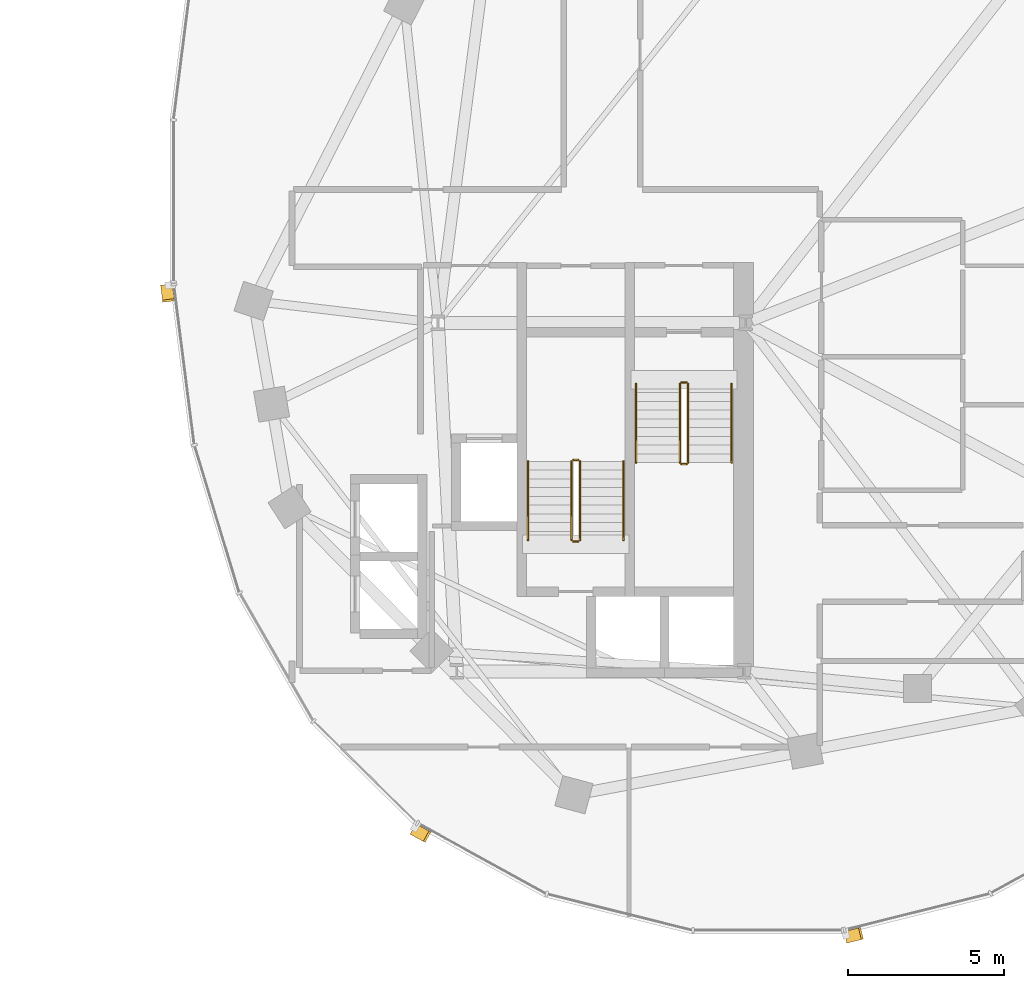
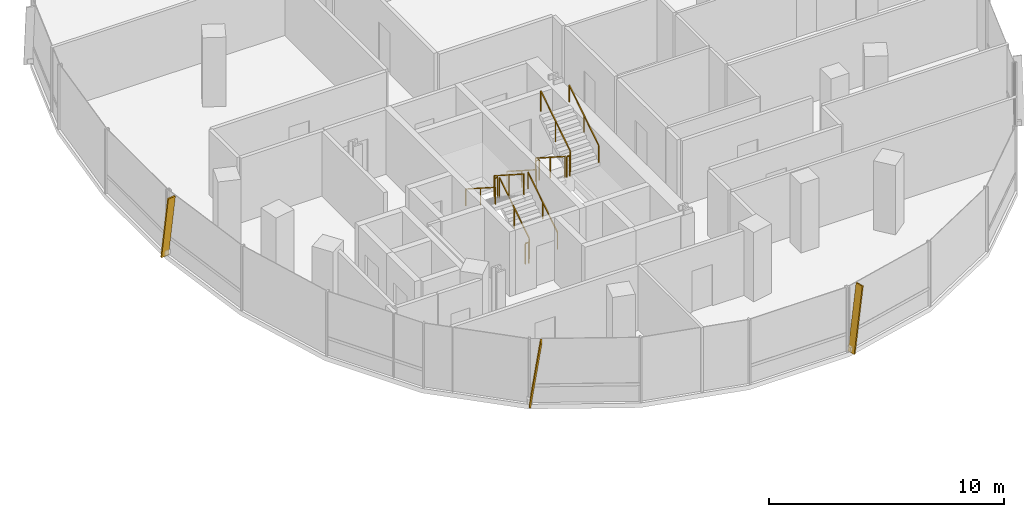
# One storey, part 21 of 22: 12 railings, 3 shading devices.
"""IFC4 building model written with IfcOpenShell, lengths in metres."""

import ifcopenshell
import ifcopenshell.guid

model = None  # the IFC model being written
_history = None  # IfcOwnerHistory: only IFC2X3 demands one
_inside = {}  # id of a spatial element -> (the spatial element, [elements in it])
_under = {}  # id of a project, library or spatial element -> (it, [spatial elements below it])
_declared = {}  # id of a project -> (the project, [libraries it declares])
_typed = {}  # id of a type object -> (the type object, [elements of that type])
_made_of = {}  # id of a material, layer set ... -> (it, [elements and type objects made of it])


def new_model(schema):
    """Start an empty IFC model of exactly this schema.

    Asked for "IFC4X3", IfcOpenShell would pick the latest addendum, in which some entities
    have other attributes; the version numbers below select the first issue.
    IFC2X3 requires an IfcOwnerHistory on every rooted entity: one is made here for all.
    """
    global model, _history
    if schema == "IFC4X3":
        model = ifcopenshell.file(schema_version=(4, 3, 0, 0))
    else:
        model = ifcopenshell.file(schema=schema)
    _inside.clear()
    _under.clear()
    _declared.clear()
    _typed.clear()
    _made_of.clear()
    _history = None
    if model.schema == "IFC2X3":
        org = make("IfcOrganization", Name="unknown")
        user = make(
            "IfcPersonAndOrganization",
            ThePerson=make("IfcPerson", FamilyName="unknown"),
            TheOrganization=org,
        )
        app = make(
            "IfcApplication",
            ApplicationDeveloper=org,
            Version="unknown",
            ApplicationFullName="unknown",
            ApplicationIdentifier="unknown",
        )
        _history = make(
            "IfcOwnerHistory",
            OwningUser=user,
            OwningApplication=app,
            ChangeAction="ADDED",
            CreationDate=0,
        )
    return model


def make(cls, **values):
    """One entity of the class cls with the attributes given. An attribute that is None is left unset."""
    return model.create_entity(
        cls, **{name: value for name, value in values.items() if value is not None}
    )


def rooted(cls, **values):
    """An entity with a GlobalId (a new one), such as an element, a storey or a relation."""
    return make(cls, GlobalId=ifcopenshell.guid.new(), OwnerHistory=_history, **values)


def si_unit(unit_type, name, prefix=None):
    """IfcSIUnit, for example si_unit("LENGTHUNIT", "METRE", prefix="MILLI")."""
    return make("IfcSIUnit", UnitType=unit_type, Prefix=prefix, Name=name)


def assignment(units):
    """IfcUnitAssignment: the units of a project."""
    return None if units is None else make("IfcUnitAssignment", Units=units)


def point(xyz):
    """IfcCartesianPoint."""
    return None if xyz is None else make("IfcCartesianPoint", Coordinates=xyz)


def direction(xyz):
    """IfcDirection."""
    return None if xyz is None else make("IfcDirection", DirectionRatios=xyz)


def frame(location, z_axis=None, x_axis=None):
    """IfcAxis2Placement3D, a coordinate frame: its origin and axes. An axis left out is left unset."""
    return make(
        "IfcAxis2Placement3D",
        Location=point(location),
        Axis=direction(z_axis),
        RefDirection=direction(x_axis),
    )


def frame_2d(location, x_axis=None):
    """IfcAxis2Placement2D, a coordinate frame in the plane: its origin and x axis."""
    return make(
        "IfcAxis2Placement2D", Location=point(location), RefDirection=direction(x_axis)
    )


def origin():
    """The frame at (0, 0, 0) with its axes left unset."""
    return frame((0.0, 0.0, 0.0))


def origin_2d():
    """The frame at (0, 0) in the plane with its x axis left unset."""
    return frame_2d((0.0, 0.0))


def place(relative_to, where):
    """IfcLocalPlacement: puts the frame where relative to a parent placement (None: the world)."""
    return make(
        "IfcLocalPlacement", PlacementRelTo=relative_to, RelativePlacement=where
    )


def context(
    kind, dimensions, precision=None, world=None, true_north=None, identifier=None
):
    """IfcGeometricRepresentationContext, for example the 3D "Model" context."""
    return make(
        "IfcGeometricRepresentationContext",
        ContextIdentifier=identifier,
        ContextType=kind,
        CoordinateSpaceDimension=dimensions,
        Precision=precision,
        WorldCoordinateSystem=world,
        TrueNorth=true_north,
    )


def subcontext(parent, identifier, kind, view, scale=None):
    """IfcGeometricRepresentationSubContext, for example "Body" below "Model"."""
    return make(
        "IfcGeometricRepresentationSubContext",
        ContextIdentifier=identifier,
        ContextType=kind,
        ParentContext=parent,
        TargetScale=scale,
        TargetView=view,
    )


def project(units=None, contexts=None):
    """IfcProject with its units and contexts."""
    return rooted(
        "IfcProject",
        Name="project",
        RepresentationContexts=contexts,
        UnitsInContext=assignment(units),
    )


def spatial(cls, under=None, at=None, **own):
    """A site, building, storey or space (cls), placed at a placement, below another one or the project."""
    s = rooted(cls, ObjectPlacement=at, **own)
    if under is not None:
        _under.setdefault(under.id(), (under, []))[1].append(s)
    return s


def profile(cls, at=None, kind="AREA", **sizes):
    """A parametric profile (cls). Its sizes go by their IFC names, for example OverallWidth=200.0."""
    return make(cls, ProfileType=kind, Position=at, **sizes)


def rectangle(**sizes):
    """IfcRectangleProfileDef."""
    return profile("IfcRectangleProfileDef", **sizes)


def extrude(swept, where, along, depth):
    """IfcExtrudedAreaSolid: the profile swept, set in the frame where, extruded along a direction by depth."""
    return make(
        "IfcExtrudedAreaSolid",
        SweptArea=swept,
        Position=where,
        ExtrudedDirection=direction(along),
        Depth=depth,
    )


def shape(context_of_items, identifier, shape_type, items):
    """IfcShapeRepresentation: the items that make up one representation, for example the "Body"."""
    return make(
        "IfcShapeRepresentation",
        ContextOfItems=context_of_items,
        RepresentationIdentifier=identifier,
        RepresentationType=shape_type,
        Items=items,
    )


def material(Name=None, Category=None):
    """IfcMaterial."""
    return make("IfcMaterial", Name=Name, Category=Category)


def material_profile(
    of_material, cross_section, Name=None, Category=None, Priority=None
):
    """IfcMaterialProfile: a cross section and its material."""
    return make(
        "IfcMaterialProfile",
        Name=Name,
        Material=of_material,
        Profile=cross_section,
        Priority=Priority,
        Category=Category,
    )


def profile_set(profiles, Name=None, composite=None):
    """IfcMaterialProfileSet."""
    return make(
        "IfcMaterialProfileSet",
        Name=Name,
        MaterialProfiles=profiles,
        CompositeProfile=composite,
    )


def made_of(thing, what):
    """Note that an element or type object is made of a material, layer set ...; save() writes the relation."""
    if what is not None:
        _made_of.setdefault(what.id(), (what, []))[1].append(thing)
    return thing


def type_object(cls, material=None, **own):
    """A type object (cls), such as IfcWallType, which elements share."""
    return made_of(rooted(cls, **own), material)


def element(
    cls,
    number,
    at=None,
    inside=None,
    cuts=None,
    type_object=None,
    material=None,
    context=None,
    identifier="Body",
    shape_type=None,
    held_by="IfcProductDefinitionShape",
    body=None,
    shapes=None,
    **own,
):
    """One element of the class cls, such as IfcWall. Its Tag is "e" and its number.

    at: its placement. inside: the storey or other place that contains it. cuts: it is an
    opening in that element (IfcRelVoidsElement). A single representation is given by context,
    identifier, shape_type and body (its items); several are given by shapes. held_by: the class
    of the entity that holds the representations. save() writes the other relations.
    """
    e = rooted(cls, Tag="e%d" % number, ObjectPlacement=at, **own)
    if body is not None:
        shapes = [shape(context, identifier, shape_type, body)]
    if shapes is not None:
        e.Representation = make(held_by, Representations=shapes)
    if inside is not None:
        _inside.setdefault(inside.id(), (inside, []))[1].append(e)
    if cuts is not None:
        rooted(
            "IfcRelVoidsElement", RelatingBuildingElement=cuts, RelatedOpeningElement=e
        )
    if type_object is not None:
        _typed.setdefault(type_object.id(), (type_object, []))[1].append(e)
    return made_of(e, material)


def aggregate(whole, parts):
    """IfcRelAggregates: a whole, such as a stair, and the parts it consists of."""
    return rooted("IfcRelAggregates", RelatingObject=whole, RelatedObjects=parts)


def save(model, path):
    """Write the relations noted so far, then the file.

    IfcRelAggregates (storeys below a building ...), IfcRelContainedInSpatialStructure (elements
    in a storey), IfcRelDefinesByType, IfcRelAssociatesMaterial and IfcRelDeclares: one each for
    every whole, place, type object, material and project.
    """
    for whole, parts in _under.values():
        aggregate(whole, parts)
    for where, things in _inside.values():
        rooted(
            "IfcRelContainedInSpatialStructure",
            RelatedElements=things,
            RelatingStructure=where,
        )
    for kind, things in _typed.values():
        rooted("IfcRelDefinesByType", RelatedObjects=things, RelatingType=kind)
    for what, things in _made_of.values():
        rooted("IfcRelAssociatesMaterial", RelatedObjects=things, RelatingMaterial=what)
    for by, libraries in _declared.values():
        rooted("IfcRelDeclares", RelatingContext=by, RelatedDefinitions=libraries)
    model.write(path)


model = new_model("IFC4")

# Units and contexts
model_context = context("Model", 3, precision=1e-05, world=origin(), true_north=direction((0.0, 1.0)))
body_context = subcontext(model_context, "Body", "Model", "MODEL_VIEW")
ifc_project = project(units=[si_unit("LENGTHUNIT", "METRE"), si_unit("AREAUNIT", "SQUARE_METRE"), si_unit("VOLUMEUNIT", "CUBIC_METRE"), si_unit("PLANEANGLEUNIT", "RADIAN"), si_unit("MASSUNIT", "GRAM", prefix="KILO"), si_unit("THERMODYNAMICTEMPERATUREUNIT", "KELVIN"), si_unit("POWERUNIT", "WATT")], contexts=[model_context])

# Site, building, storey
site_placement = place(None, origin())
site = spatial("IfcSite", under=ifc_project, at=site_placement, CompositionType="ELEMENT")
building_placement = place(site_placement, origin())
building = spatial("IfcBuilding", under=site, at=building_placement, Name="Cundina Bronze Exchange", CompositionType="ELEMENT")
storey_placement = place(building_placement, frame((0.0, 0.0, 151.199951171875)))
storey = spatial("IfcBuildingStorey", under=building, at=storey_placement, Name="L39", CompositionType="ELEMENT", Elevation=151.199951171875)

# Railings
ifc_material_1 = material(Name="Steel ASTM A36 Painted", Category="steel")
railing_type_1 = type_object("IfcRailingType", Name="RLG-HND-900", PredefinedType="HANDRAIL", material=ifc_material_1)
railing_1_placement = place(storey_placement, frame((27.7900390625, -5.85009765625, 0.179931640625)))
element("IfcRailing", 1, at=railing_1_placement, inside=storey, type_object=railing_type_1, Name="L39 ST-E1 stair handrail 1", PredefinedType="HANDRAIL", context=body_context, shape_type="SweptSolid", body=[
    extrude(rectangle(XDim=0.048095703125, YDim=0.048095703125, at=origin_2d()), frame((0.0, 0.0, 0.8759765625), z_axis=(0.0, -0.841162588446, 0.540782303519), x_axis=(1.0, 0.0, 0.0)), (0.0, 0.0, 1.0), 2.995849609375),
    extrude(rectangle(XDim=0.0419921875, YDim=0.0419921875, at=origin_2d()), origin(), (0.0, 0.0, 1.0), 0.851806640625),
    extrude(rectangle(XDim=0.0419921875, YDim=0.0419921875, at=origin_2d()), frame((0.0, -1.260009765625, 0.81005859375)), (0.0, 0.0, 1.0), 0.851806640625),
    extrude(rectangle(XDim=0.0419921875, YDim=0.0419921875, at=origin_2d()), frame((0.0, -2.52001953125, 1.6201171875)), (0.0, 0.0, 1.0), 0.851806640625),
])
for number, where, name in (
    (2, (30.85009765625, -8.3701171875, 1.97998046875), "L39 ST-E1 stair handrail 2"),
    (3, (27.389892578125, -10.85009765625, 0.179931640625), "L39 ST-E2 stair handrail 1"),
):
    element("IfcRailing", number, at=place(storey_placement, frame(where)), inside=storey, type_object=railing_type_1, Name=name, PredefinedType="HANDRAIL", context=body_context, shape_type="SweptSolid", body=[
        extrude(rectangle(XDim=0.048095703125, YDim=0.048095703125, at=origin_2d()), frame((0.0, 0.0, 0.8759765625), z_axis=(0.0, 0.841162588446, 0.540782303519), x_axis=(-1.0, 0.0, 0.0)), (0.0, 0.0, 1.0), 2.995849609375),
        extrude(rectangle(XDim=0.0419921875, YDim=0.0419921875, at=origin_2d()), origin(), (0.0, 0.0, 1.0), 0.851806640625),
        extrude(rectangle(XDim=0.0419921875, YDim=0.0419921875, at=origin_2d()), frame((0.0, 1.260009765625, 0.81005859375)), (0.0, 0.0, 1.0), 0.851806640625),
        extrude(rectangle(XDim=0.0419921875, YDim=0.0419921875, at=origin_2d()), frame((0.0, 2.52001953125, 1.6201171875)), (0.0, 0.0, 1.0), 0.851806640625),
    ])
railing_2_placement = place(storey_placement, frame((24.330078125, -8.330078125, 1.97998046875)))
element("IfcRailing", 4, at=railing_2_placement, inside=storey, type_object=railing_type_1, Name="L39 ST-E2 stair handrail 2", PredefinedType="HANDRAIL", context=body_context, shape_type="SweptSolid", body=[
    extrude(rectangle(XDim=0.048095703125, YDim=0.048095703125, at=origin_2d()), frame((0.0, 0.0, 0.8759765625), z_axis=(0.0, -0.841162588446, 0.540782303519), x_axis=(1.0, 0.0, 0.0)), (0.0, 0.0, 1.0), 2.995849609375),
    extrude(rectangle(XDim=0.0419921875, YDim=0.0419921875, at=origin_2d()), origin(), (0.0, 0.0, 1.0), 0.851806640625),
    extrude(rectangle(XDim=0.0419921875, YDim=0.0419921875, at=origin_2d()), frame((0.0, -1.260009765625, 0.81005859375)), (0.0, 0.0, 1.0), 0.851806640625),
    extrude(rectangle(XDim=0.0419921875, YDim=0.0419921875, at=origin_2d()), frame((0.0, -2.52001953125, 1.6201171875)), (0.0, 0.0, 1.0), 0.851806640625),
])
railing_type_2 = type_object("IfcRailingType", Name="RLG-STG-1100", PredefinedType="GUARDRAIL", material=ifc_material_1)
railing_3_placement = place(storey_placement, frame((29.18994140625, -5.85009765625, 0.179931640625)))
element("IfcRailing", 5, at=railing_3_placement, inside=storey, type_object=railing_type_2, Name="L39 ST-E1 stair guard 1", PredefinedType="GUARDRAIL", context=body_context, shape_type="SweptSolid", body=[
    extrude(rectangle(XDim=0.048095703125, YDim=0.048095703125, at=origin_2d()), frame((0.0, 0.0, 1.076171875), z_axis=(0.0, -0.841162588446, 0.540782303519), x_axis=(1.0, 0.0, 0.0)), (0.0, 0.0, 1.0), 2.995849609375),
    extrude(rectangle(XDim=0.0419921875, YDim=0.0419921875, at=origin_2d()), origin(), (0.0, 0.0, 1.0), 1.052001953125),
    extrude(rectangle(XDim=0.0419921875, YDim=0.0419921875, at=origin_2d()), frame((0.0, -1.260009765625, 0.81005859375)), (0.0, 0.0, 1.0), 1.052001953125),
    extrude(rectangle(XDim=0.0419921875, YDim=0.0419921875, at=origin_2d()), frame((0.0, -2.52001953125, 1.6201171875)), (0.0, 0.0, 1.0), 1.052001953125),
])
railing_4_placement = place(storey_placement, frame((29.239990234375, -8.419921875, 1.800048828125)))
element("IfcRailing", 6, at=railing_4_placement, inside=storey, type_object=railing_type_2, Name="L39 ST-E1 stair guard 2", PredefinedType="GUARDRAIL", context=body_context, shape_type="SweptSolid", body=[
    extrude(rectangle(XDim=0.048095703125, YDim=0.048095703125, at=origin_2d()), frame((0.0, 0.0, 1.076171875), z_axis=(1.0, 0.0, 0.0), x_axis=(0.0, 1.0, 0.0)), (0.0, 0.0, 1.0), 0.159912109375),
    extrude(rectangle(XDim=0.0419921875, YDim=0.0419921875, at=origin_2d()), origin(), (0.0, 0.0, 1.0), 1.052001953125),
    extrude(rectangle(XDim=0.0419921875, YDim=0.0419921875, at=origin_2d()), frame((0.159912109375, 0.0, 0.0)), (0.0, 0.0, 1.0), 1.052001953125),
])
railing_5_placement = place(storey_placement, frame((29.449951171875, -8.3701171875, 1.97998046875)))
element("IfcRailing", 7, at=railing_5_placement, inside=storey, type_object=railing_type_2, Name="L39 ST-E1 stair guard 3", PredefinedType="GUARDRAIL", context=body_context, shape_type="SweptSolid", body=[
    extrude(rectangle(XDim=0.048095703125, YDim=0.048095703125, at=origin_2d()), frame((0.0, 0.0, 1.076171875), z_axis=(0.0, 0.841162588446, 0.540782303519), x_axis=(-1.0, 0.0, 0.0)), (0.0, 0.0, 1.0), 2.995849609375),
    extrude(rectangle(XDim=0.0419921875, YDim=0.0419921875, at=origin_2d()), origin(), (0.0, 0.0, 1.0), 1.052001953125),
    extrude(rectangle(XDim=0.0419921875, YDim=0.0419921875, at=origin_2d()), frame((0.0, 1.260009765625, 0.81005859375)), (0.0, 0.0, 1.0), 1.052001953125),
    extrude(rectangle(XDim=0.0419921875, YDim=0.0419921875, at=origin_2d()), frame((0.0, 2.52001953125, 1.6201171875)), (0.0, 0.0, 1.0), 1.052001953125),
])
railing_6_placement = place(storey_placement, frame((29.239990234375, -5.800048828125, 0.0)))
element("IfcRailing", 8, at=railing_6_placement, inside=storey, type_object=railing_type_2, Name="L39 ST-E1 stair guard 4", PredefinedType="GUARDRAIL", context=body_context, shape_type="SweptSolid", body=[
    extrude(rectangle(XDim=0.048095703125, YDim=0.048095703125, at=origin_2d()), frame((0.0, 0.0, 1.076171875), z_axis=(1.0, 0.0, 0.0), x_axis=(0.0, 1.0, 0.0)), (0.0, 0.0, 1.0), 0.159912109375),
    extrude(rectangle(XDim=0.0419921875, YDim=0.0419921875, at=origin_2d()), origin(), (0.0, 0.0, 1.0), 1.052001953125),
    extrude(rectangle(XDim=0.0419921875, YDim=0.0419921875, at=origin_2d()), frame((0.159912109375, 0.0, 0.0)), (0.0, 0.0, 1.0), 1.052001953125),
])
railing_7_placement = place(storey_placement, frame((25.989990234375, -10.85009765625, 0.179931640625)))
element("IfcRailing", 9, at=railing_7_placement, inside=storey, type_object=railing_type_2, Name="L39 ST-E2 stair guard 1", PredefinedType="GUARDRAIL", context=body_context, shape_type="SweptSolid", body=[
    extrude(rectangle(XDim=0.048095703125, YDim=0.048095703125, at=origin_2d()), frame((0.0, 0.0, 1.076171875), z_axis=(0.0, 0.841162588446, 0.540782303519), x_axis=(-1.0, 0.0, 0.0)), (0.0, 0.0, 1.0), 2.995849609375),
    extrude(rectangle(XDim=0.0419921875, YDim=0.0419921875, at=origin_2d()), origin(), (0.0, 0.0, 1.0), 1.052001953125),
    extrude(rectangle(XDim=0.0419921875, YDim=0.0419921875, at=origin_2d()), frame((0.0, 1.260009765625, 0.81005859375)), (0.0, 0.0, 1.0), 1.052001953125),
    extrude(rectangle(XDim=0.0419921875, YDim=0.0419921875, at=origin_2d()), frame((0.0, 2.52001953125, 1.6201171875)), (0.0, 0.0, 1.0), 1.052001953125),
])
railing_8_placement = place(storey_placement, frame((25.93994140625, -8.280029296875, 1.800048828125)))
element("IfcRailing", 10, at=railing_8_placement, inside=storey, type_object=railing_type_2, Name="L39 ST-E2 stair guard 2", PredefinedType="GUARDRAIL", context=body_context, shape_type="SweptSolid", body=[
    extrude(rectangle(XDim=0.048095703125, YDim=0.048095703125, at=origin_2d()), frame((0.0, 0.0, 1.076171875), z_axis=(-1.0, 0.0, 0.0), x_axis=(0.0, -1.0, 0.0)), (0.0, 0.0, 1.0), 0.159912109375),
    extrude(rectangle(XDim=0.0419921875, YDim=0.0419921875, at=origin_2d()), origin(), (0.0, 0.0, 1.0), 1.052001953125),
    extrude(rectangle(XDim=0.0419921875, YDim=0.0419921875, at=origin_2d()), frame((-0.159912109375, 0.0, 0.0)), (0.0, 0.0, 1.0), 1.052001953125),
])
railing_9_placement = place(storey_placement, frame((25.72998046875, -8.330078125, 1.97998046875)))
element("IfcRailing", 11, at=railing_9_placement, inside=storey, type_object=railing_type_2, Name="L39 ST-E2 stair guard 3", PredefinedType="GUARDRAIL", context=body_context, shape_type="SweptSolid", body=[
    extrude(rectangle(XDim=0.048095703125, YDim=0.048095703125, at=origin_2d()), frame((0.0, 0.0, 1.076171875), z_axis=(0.0, -0.841162588446, 0.540782303519), x_axis=(1.0, 0.0, 0.0)), (0.0, 0.0, 1.0), 2.995849609375),
    extrude(rectangle(XDim=0.0419921875, YDim=0.0419921875, at=origin_2d()), origin(), (0.0, 0.0, 1.0), 1.052001953125),
    extrude(rectangle(XDim=0.0419921875, YDim=0.0419921875, at=origin_2d()), frame((0.0, -1.260009765625, 0.81005859375)), (0.0, 0.0, 1.0), 1.052001953125),
    extrude(rectangle(XDim=0.0419921875, YDim=0.0419921875, at=origin_2d()), frame((0.0, -2.52001953125, 1.6201171875)), (0.0, 0.0, 1.0), 1.052001953125),
])
railing_10_placement = place(storey_placement, frame((25.93994140625, -10.89990234375, 0.0)))
element("IfcRailing", 12, at=railing_10_placement, inside=storey, type_object=railing_type_2, Name="L39 ST-E2 stair guard 4", PredefinedType="GUARDRAIL", context=body_context, shape_type="SweptSolid", body=[
    extrude(rectangle(XDim=0.048095703125, YDim=0.048095703125, at=origin_2d()), frame((0.0, 0.0, 1.076171875), z_axis=(-1.0, 0.0, 0.0), x_axis=(0.0, -1.0, 0.0)), (0.0, 0.0, 1.0), 0.159912109375),
    extrude(rectangle(XDim=0.0419921875, YDim=0.0419921875, at=origin_2d()), origin(), (0.0, 0.0, 1.0), 1.052001953125),
    extrude(rectangle(XDim=0.0419921875, YDim=0.0419921875, at=origin_2d()), frame((-0.159912109375, 0.0, 0.0)), (0.0, 0.0, 1.0), 1.052001953125),
])

# Shading devices
ifc_material_2 = material(Name="Anodised Bronze Aluminium 6063-T6", Category="aluminium")
ifc_material_profile = material_profile(ifc_material_2, rectangle(XDim=0.070068359375, YDim=0.3798828125, at=origin_2d()), Name="FIN70X380", Category="aluminium")
ifc_profile_set = profile_set([ifc_material_profile], Name="Anodised Bronze Aluminium 6063-T6")
shading_device_type = type_object("IfcShadingDeviceType", Name="SHD-FIN-BRZ380", PredefinedType="USERDEFINED", material=ifc_profile_set)
for number, where, z_axis, x_axis, name in (
    (13, (12.76513671875, -2.705810546875, 0.02001953125), (0.018121805099, -0.141917750773, 0.989712560391), (-0.125360789044, 0.981741119016, 0.143070080046), "L39 Diagonal Bronze Solar Fin 1"),
    (14, (20.679931640625, -20.11181640625, 0.02001953125), (0.125324460949, -0.068993954111, 0.989713905017), (-0.867011652888, 0.477309551067, 0.143060778049), "L39 Diagonal Bronze Solar Fin 5"),
    (15, (34.51953125, -23.556396484375, 0.02001953125), (0.138788401144, 0.034715294885, 0.989713407007), (-0.960133415413, -0.240159223467, 0.14306422331), "L39 Diagonal Bronze Solar Fin 1"),
):
    element("IfcShadingDevice", number, at=place(storey_placement, frame(where, z_axis=z_axis, x_axis=x_axis)), inside=storey, type_object=shading_device_type, Name=name, ObjectType="FIN", PredefinedType="USERDEFINED", context=body_context, shape_type="SweptSolid", body=[
        extrude(rectangle(XDim=0.070068359375, YDim=0.3798828125, at=origin_2d()), origin(), (0.0, 0.0, 1.0), 3.3544921875),
    ])

save(model, "model.ifc")
